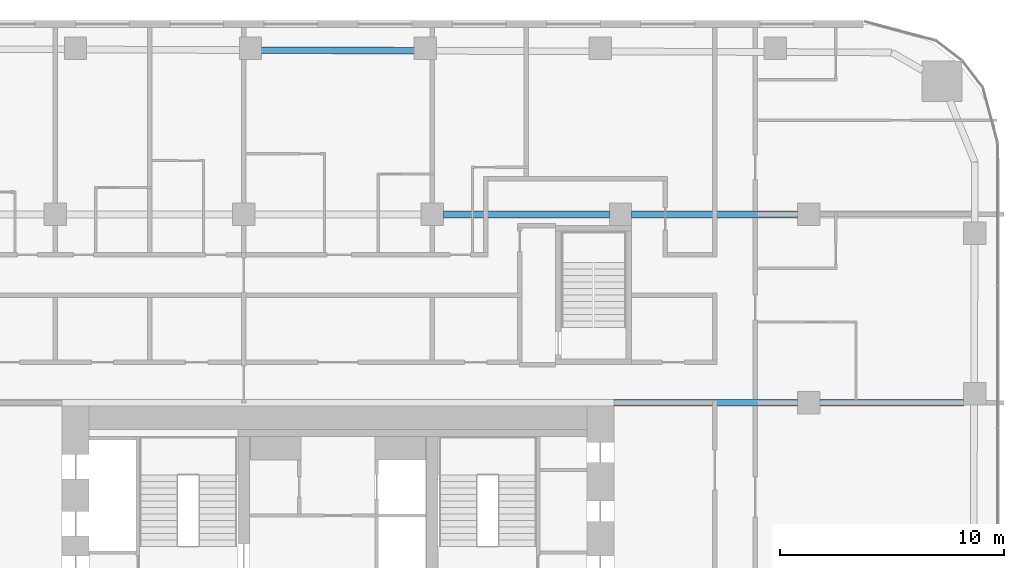
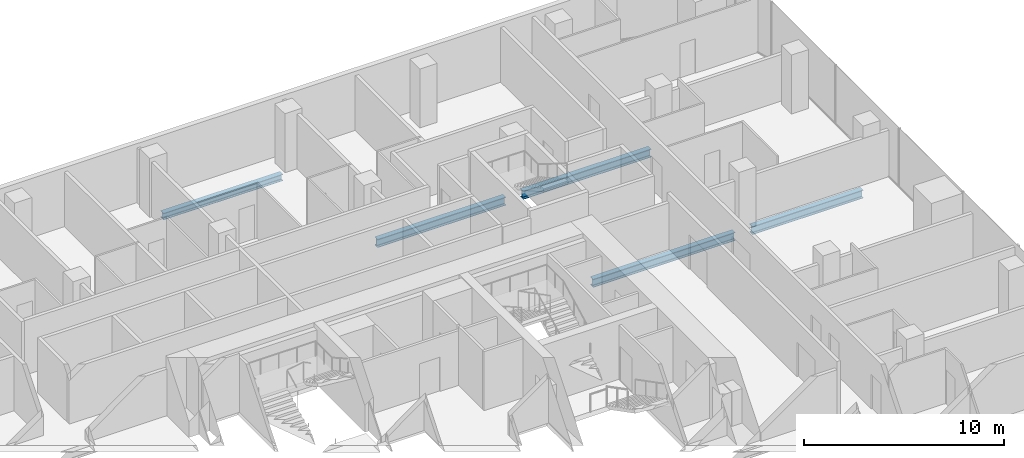
# One storey, part 11 of 26: 5 beams.
"""IFC4 building model written with IfcOpenShell, lengths in metres."""

import ifcopenshell
import ifcopenshell.guid

model = None  # the IFC model being written
_history = None  # IfcOwnerHistory: only IFC2X3 demands one
_inside = {}  # id of a spatial element -> (the spatial element, [elements in it])
_under = {}  # id of a project, library or spatial element -> (it, [spatial elements below it])
_declared = {}  # id of a project -> (the project, [libraries it declares])
_typed = {}  # id of a type object -> (the type object, [elements of that type])
_made_of = {}  # id of a material, layer set ... -> (it, [elements and type objects made of it])


def new_model(schema):
    """Start an empty IFC model of exactly this schema.

    Asked for "IFC4X3", IfcOpenShell would pick the latest addendum, in which some entities
    have other attributes; the version numbers below select the first issue.
    IFC2X3 requires an IfcOwnerHistory on every rooted entity: one is made here for all.
    """
    global model, _history
    if schema == "IFC4X3":
        model = ifcopenshell.file(schema_version=(4, 3, 0, 0))
    else:
        model = ifcopenshell.file(schema=schema)
    _inside.clear()
    _under.clear()
    _declared.clear()
    _typed.clear()
    _made_of.clear()
    _history = None
    if model.schema == "IFC2X3":
        org = make("IfcOrganization", Name="unknown")
        user = make(
            "IfcPersonAndOrganization",
            ThePerson=make("IfcPerson", FamilyName="unknown"),
            TheOrganization=org,
        )
        app = make(
            "IfcApplication",
            ApplicationDeveloper=org,
            Version="unknown",
            ApplicationFullName="unknown",
            ApplicationIdentifier="unknown",
        )
        _history = make(
            "IfcOwnerHistory",
            OwningUser=user,
            OwningApplication=app,
            ChangeAction="ADDED",
            CreationDate=0,
        )
    return model


def make(cls, **values):
    """One entity of the class cls with the attributes given. An attribute that is None is left unset."""
    return model.create_entity(
        cls, **{name: value for name, value in values.items() if value is not None}
    )


def rooted(cls, **values):
    """An entity with a GlobalId (a new one), such as an element, a storey or a relation."""
    return make(cls, GlobalId=ifcopenshell.guid.new(), OwnerHistory=_history, **values)


def si_unit(unit_type, name, prefix=None):
    """IfcSIUnit, for example si_unit("LENGTHUNIT", "METRE", prefix="MILLI")."""
    return make("IfcSIUnit", UnitType=unit_type, Prefix=prefix, Name=name)


def assignment(units):
    """IfcUnitAssignment: the units of a project."""
    return None if units is None else make("IfcUnitAssignment", Units=units)


def point(xyz):
    """IfcCartesianPoint."""
    return None if xyz is None else make("IfcCartesianPoint", Coordinates=xyz)


def direction(xyz):
    """IfcDirection."""
    return None if xyz is None else make("IfcDirection", DirectionRatios=xyz)


def frame(location, z_axis=None, x_axis=None):
    """IfcAxis2Placement3D, a coordinate frame: its origin and axes. An axis left out is left unset."""
    return make(
        "IfcAxis2Placement3D",
        Location=point(location),
        Axis=direction(z_axis),
        RefDirection=direction(x_axis),
    )


def frame_2d(location, x_axis=None):
    """IfcAxis2Placement2D, a coordinate frame in the plane: its origin and x axis."""
    return make(
        "IfcAxis2Placement2D", Location=point(location), RefDirection=direction(x_axis)
    )


def origin():
    """The frame at (0, 0, 0) with its axes left unset."""
    return frame((0.0, 0.0, 0.0))


def origin_2d():
    """The frame at (0, 0) in the plane with its x axis left unset."""
    return frame_2d((0.0, 0.0))


def place(relative_to, where):
    """IfcLocalPlacement: puts the frame where relative to a parent placement (None: the world)."""
    return make(
        "IfcLocalPlacement", PlacementRelTo=relative_to, RelativePlacement=where
    )


def context(
    kind, dimensions, precision=None, world=None, true_north=None, identifier=None
):
    """IfcGeometricRepresentationContext, for example the 3D "Model" context."""
    return make(
        "IfcGeometricRepresentationContext",
        ContextIdentifier=identifier,
        ContextType=kind,
        CoordinateSpaceDimension=dimensions,
        Precision=precision,
        WorldCoordinateSystem=world,
        TrueNorth=true_north,
    )


def subcontext(parent, identifier, kind, view, scale=None):
    """IfcGeometricRepresentationSubContext, for example "Body" below "Model"."""
    return make(
        "IfcGeometricRepresentationSubContext",
        ContextIdentifier=identifier,
        ContextType=kind,
        ParentContext=parent,
        TargetScale=scale,
        TargetView=view,
    )


def project(units=None, contexts=None):
    """IfcProject with its units and contexts."""
    return rooted(
        "IfcProject",
        Name="project",
        RepresentationContexts=contexts,
        UnitsInContext=assignment(units),
    )


def spatial(cls, under=None, at=None, **own):
    """A site, building, storey or space (cls), placed at a placement, below another one or the project."""
    s = rooted(cls, ObjectPlacement=at, **own)
    if under is not None:
        _under.setdefault(under.id(), (under, []))[1].append(s)
    return s


def profile(cls, at=None, kind="AREA", **sizes):
    """A parametric profile (cls). Its sizes go by their IFC names, for example OverallWidth=200.0."""
    return make(cls, ProfileType=kind, Position=at, **sizes)


def i_section(**sizes):
    """IfcIShapeProfileDef."""
    return profile("IfcIShapeProfileDef", **sizes)


def extrude(swept, where, along, depth):
    """IfcExtrudedAreaSolid: the profile swept, set in the frame where, extruded along a direction by depth."""
    return make(
        "IfcExtrudedAreaSolid",
        SweptArea=swept,
        Position=where,
        ExtrudedDirection=direction(along),
        Depth=depth,
    )


def shape(context_of_items, identifier, shape_type, items):
    """IfcShapeRepresentation: the items that make up one representation, for example the "Body"."""
    return make(
        "IfcShapeRepresentation",
        ContextOfItems=context_of_items,
        RepresentationIdentifier=identifier,
        RepresentationType=shape_type,
        Items=items,
    )


def material(Name=None, Category=None):
    """IfcMaterial."""
    return make("IfcMaterial", Name=Name, Category=Category)


def material_profile(
    of_material, cross_section, Name=None, Category=None, Priority=None
):
    """IfcMaterialProfile: a cross section and its material."""
    return make(
        "IfcMaterialProfile",
        Name=Name,
        Material=of_material,
        Profile=cross_section,
        Priority=Priority,
        Category=Category,
    )


def profile_set(profiles, Name=None, composite=None):
    """IfcMaterialProfileSet."""
    return make(
        "IfcMaterialProfileSet",
        Name=Name,
        MaterialProfiles=profiles,
        CompositeProfile=composite,
    )


def made_of(thing, what):
    """Note that an element or type object is made of a material, layer set ...; save() writes the relation."""
    if what is not None:
        _made_of.setdefault(what.id(), (what, []))[1].append(thing)
    return thing


def type_object(cls, material=None, **own):
    """A type object (cls), such as IfcWallType, which elements share."""
    return made_of(rooted(cls, **own), material)


def element(
    cls,
    number,
    at=None,
    inside=None,
    cuts=None,
    type_object=None,
    material=None,
    context=None,
    identifier="Body",
    shape_type=None,
    held_by="IfcProductDefinitionShape",
    body=None,
    shapes=None,
    **own,
):
    """One element of the class cls, such as IfcWall. Its Tag is "e" and its number.

    at: its placement. inside: the storey or other place that contains it. cuts: it is an
    opening in that element (IfcRelVoidsElement). A single representation is given by context,
    identifier, shape_type and body (its items); several are given by shapes. held_by: the class
    of the entity that holds the representations. save() writes the other relations.
    """
    e = rooted(cls, Tag="e%d" % number, ObjectPlacement=at, **own)
    if body is not None:
        shapes = [shape(context, identifier, shape_type, body)]
    if shapes is not None:
        e.Representation = make(held_by, Representations=shapes)
    if inside is not None:
        _inside.setdefault(inside.id(), (inside, []))[1].append(e)
    if cuts is not None:
        rooted(
            "IfcRelVoidsElement", RelatingBuildingElement=cuts, RelatedOpeningElement=e
        )
    if type_object is not None:
        _typed.setdefault(type_object.id(), (type_object, []))[1].append(e)
    return made_of(e, material)


def aggregate(whole, parts):
    """IfcRelAggregates: a whole, such as a stair, and the parts it consists of."""
    return rooted("IfcRelAggregates", RelatingObject=whole, RelatedObjects=parts)


def save(model, path):
    """Write the relations noted so far, then the file.

    IfcRelAggregates (storeys below a building ...), IfcRelContainedInSpatialStructure (elements
    in a storey), IfcRelDefinesByType, IfcRelAssociatesMaterial and IfcRelDeclares: one each for
    every whole, place, type object, material and project.
    """
    for whole, parts in _under.values():
        aggregate(whole, parts)
    for where, things in _inside.values():
        rooted(
            "IfcRelContainedInSpatialStructure",
            RelatedElements=things,
            RelatingStructure=where,
        )
    for kind, things in _typed.values():
        rooted("IfcRelDefinesByType", RelatedObjects=things, RelatingType=kind)
    for what, things in _made_of.values():
        rooted("IfcRelAssociatesMaterial", RelatedObjects=things, RelatingMaterial=what)
    for by, libraries in _declared.values():
        rooted("IfcRelDeclares", RelatingContext=by, RelatedDefinitions=libraries)
    model.write(path)


model = new_model("IFC4")

# Units and contexts
model_context = context("Model", 3, precision=1e-05, world=origin(), true_north=direction((0.0, 1.0)))
body_context = subcontext(model_context, "Body", "Model", "MODEL_VIEW")
ifc_project = project(units=[si_unit("LENGTHUNIT", "METRE"), si_unit("AREAUNIT", "SQUARE_METRE"), si_unit("VOLUMEUNIT", "CUBIC_METRE"), si_unit("PLANEANGLEUNIT", "RADIAN"), si_unit("MASSUNIT", "GRAM", prefix="KILO")], contexts=[model_context])

# Site, building, storey
site_placement = place(None, origin())
site = spatial("IfcSite", under=ifc_project, at=site_placement, CompositionType="ELEMENT")
building_placement = place(site_placement, origin())
building = spatial("IfcBuilding", under=site, at=building_placement, Name="Marenta Gate Hotel Tower", CompositionType="ELEMENT")
storey_placement = place(building_placement, frame((0.0, 0.0, 58.10009765625)))
storey = spatial("IfcBuildingStorey", under=building, at=storey_placement, Name="L12", CompositionType="ELEMENT", Elevation=58.10009765625)

# Beams
ifc_material_1 = material(Name="Steel S355", Category="steel")
ifc_material_profile_1 = material_profile(ifc_material_1, i_section(OverallWidth=0.300048828125, OverallDepth=0.39990234375, WebThickness=0.013427734375, FlangeThickness=0.02392578125, FilletRadius=0.027099609375, at=origin_2d()), Name="HEB 400")
ifc_profile_set_1 = profile_set([ifc_material_profile_1], Name="Steel S355")
beam_type_1 = type_object("IfcBeamType", Name="Edge beam HEB 400", PredefinedType="SPANDREL", material=ifc_profile_set_1)
beam_1_placement = place(storey_placement, frame((-3.44140625, 32.52587890625, -0.460205078125), z_axis=(0.999993195747, -0.003688964684, 0.0), x_axis=(0.003688964684, 0.999993195747, 0.0)))
element("IfcBeam", 1, at=beam_1_placement, inside=storey, type_object=beam_type_1, Name="L12-EB-16", PredefinedType="SPANDREL", context=body_context, shape_type="SweptSolid", body=[
    extrude(i_section(OverallWidth=0.300048828125, OverallDepth=0.39990234375, WebThickness=0.013427734375, FlangeThickness=0.02392578125, FilletRadius=0.027099609375, at=origin_2d()), origin(), (0.0, 0.0, 1.0), 6.8828125),
])
ifc_material_2 = material(Name="Steel S355", Category="steel")
ifc_material_profile_2 = material_profile(ifc_material_2, i_section(OverallWidth=0.300048828125, OverallDepth=0.5, WebThickness=0.014404296875, FlangeThickness=0.028076171875, FilletRadius=0.027099609375, at=origin_2d()), Name="HEB 500")
ifc_profile_set_2 = profile_set([ifc_material_profile_2], Name="Steel S355")
beam_type_2 = type_object("IfcBeamType", Name="Girder HEB 500", PredefinedType="BEAM", material=ifc_profile_set_2)
beam_2_placement = place(storey_placement, frame((12.300048828125, 16.800048828125, -0.510009765625), z_axis=(1.0, 0.0, 0.0), x_axis=(0.0, 1.0, 0.0)))
element("IfcBeam", 2, at=beam_2_placement, inside=storey, type_object=beam_type_2, Name="L12-GD-20", PredefinedType="BEAM", context=body_context, shape_type="SweptSolid", body=[
    extrude(i_section(OverallWidth=0.300048828125, OverallDepth=0.5, WebThickness=0.014404296875, FlangeThickness=0.028076171875, FilletRadius=0.027099609375, at=origin_2d()), origin(), (0.0, 0.0, 1.0), 8.199951171875),
])
beam_3_placement = place(storey_placement, frame((21.5, 16.800048828125, -0.510009765625), z_axis=(1.0, 0.0, 0.0), x_axis=(0.0, 1.0, 0.0)))
element("IfcBeam", 3, at=beam_3_placement, inside=storey, type_object=beam_type_2, Name="L12-GD-21", PredefinedType="BEAM", context=body_context, shape_type="SweptSolid", body=[
    extrude(i_section(OverallWidth=0.300048828125, OverallDepth=0.5, WebThickness=0.014404296875, FlangeThickness=0.028076171875, FilletRadius=0.027099609375, at=origin_2d()), origin(), (0.0, 0.0, 1.0), 6.39990234375),
])
beam_4_placement = place(storey_placement, frame((4.699951171875, 25.199951171875, -0.510009765625), z_axis=(1.0, 0.0, 0.0), x_axis=(0.0, 1.0, 0.0)))
element("IfcBeam", 4, at=beam_4_placement, inside=storey, type_object=beam_type_2, Name="L12-GD-26", PredefinedType="BEAM", context=body_context, shape_type="SweptSolid", body=[
    extrude(i_section(OverallWidth=0.300048828125, OverallDepth=0.5, WebThickness=0.014404296875, FlangeThickness=0.028076171875, FilletRadius=0.027099609375, at=origin_2d()), origin(), (0.0, 0.0, 1.0), 7.400146484375),
])
beam_5_placement = place(storey_placement, frame((13.10009765625, 25.199951171875, -0.510009765625), z_axis=(1.0, 0.0, 0.0), x_axis=(0.0, 1.0, 0.0)))
element("IfcBeam", 5, at=beam_5_placement, inside=storey, type_object=beam_type_2, Name="L12-GD-27", PredefinedType="BEAM", context=body_context, shape_type="SweptSolid", body=[
    extrude(i_section(OverallWidth=0.300048828125, OverallDepth=0.5, WebThickness=0.014404296875, FlangeThickness=0.028076171875, FilletRadius=0.027099609375, at=origin_2d()), origin(), (0.0, 0.0, 1.0), 7.39990234375),
])

save(model, "model.ifc")
